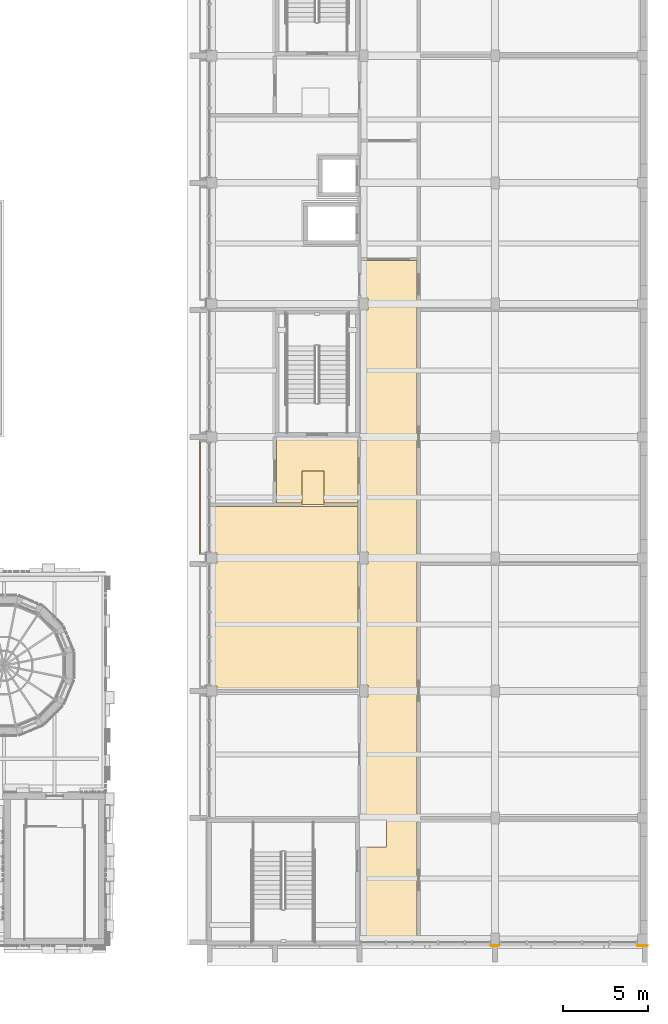
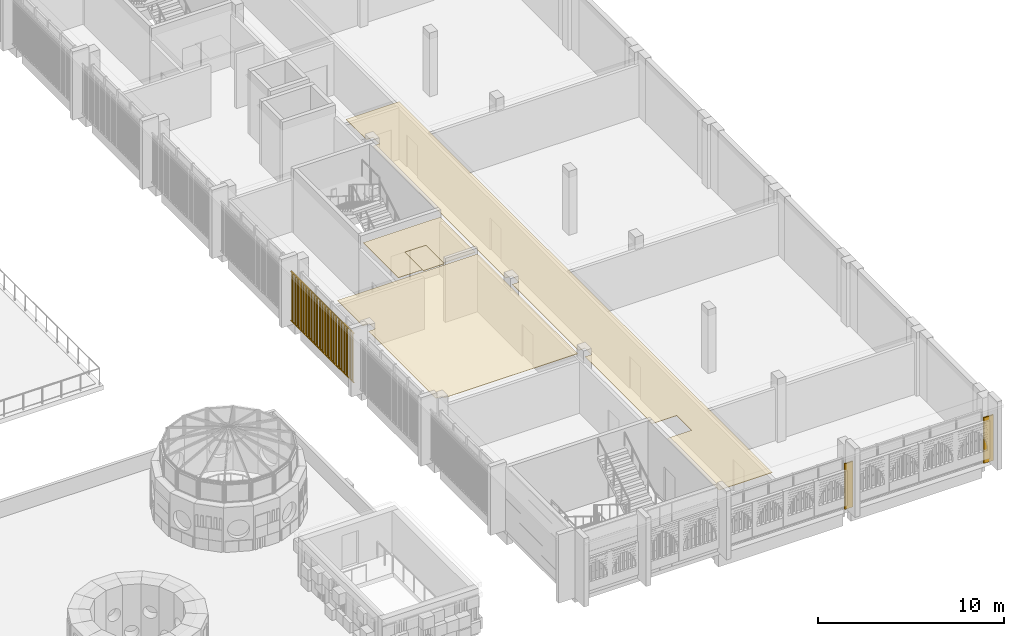
# One storey, part 90 of 98: 5 coverings, 1 shading device.
"""IFC4 building model written with IfcOpenShell, lengths in metres."""

from ifc_helpers import new_model, si_unit, direction, frame, origin, origin_2d, place, context, subcontext, project, spatial, polyline, rectangle, outline, extrude, material, layer, layer_set, type_object, element, save


model = new_model("IFC4")

# Units and contexts
model_context = context("Model", 3, precision=1e-05, world=origin(), true_north=direction((0.0, 1.0)))
body_context = subcontext(model_context, "Body", "Model", "MODEL_VIEW")
ifc_project = project(units=[si_unit("LENGTHUNIT", "METRE"), si_unit("AREAUNIT", "SQUARE_METRE"), si_unit("VOLUMEUNIT", "CUBIC_METRE"), si_unit("PLANEANGLEUNIT", "RADIAN"), si_unit("MASSUNIT", "GRAM", prefix="KILO")], contexts=[model_context])

# Site, building, storey
site_placement = place(None, origin())
site = spatial("IfcSite", under=ifc_project, at=site_placement, CompositionType="ELEMENT")
building_placement = place(site_placement, origin())
building = spatial("IfcBuilding", under=site, at=building_placement, Name="Sun Court Science Centre", CompositionType="ELEMENT")
storey_placement = place(building_placement, frame((0.0, 0.0, 15.75)))
storey = spatial("IfcBuildingStorey", under=building, at=storey_placement, Name="L03", CompositionType="ELEMENT", Elevation=15.75)

# Coverings
ifc_material_1 = material(Name="Gypsum board")
ifc_layer_1 = layer(ifc_material_1, 0.030029296875)
ifc_layer_set_1 = layer_set([ifc_layer_1], Name="Gypsum board")
covering_type_1 = type_object("IfcCoveringType", Name="Ceiling suspended 600 module", PredefinedType="CEILING", material=ifc_layer_set_1)
covering_1_placement = place(storey_placement, frame((0.0, 0.0, 3.77001953125)))
element("IfcCovering", 1, at=covering_1_placement, inside=storey, type_object=covering_type_1, Name="L03-010 ceiling", PredefinedType="CEILING", context=body_context, shape_type="SweptSolid", body=[
    extrude(outline(polyline([(87.10009765625, 6.199951171875), (87.10009765625, 11.800048828125), (88.60009765625, 11.800048828125), (88.60009765625, 13.39990234375), (87.10009765625, 13.39990234375), (87.10009765625, 20.64990234375), (87.5, 20.64990234375), (87.5, 21.35009765625), (87.10009765625, 21.35009765625), (87.10009765625, 28.5), (87.5, 28.5), (87.5, 29.199951171875), (87.10009765625, 29.199951171875), (87.10009765625, 43.5), (87.5, 43.5), (87.5, 44.199951171875), (87.10009765625, 44.199951171875), (87.10009765625, 46.39990234375), (90.39990234375, 46.39990234375), (90.39990234375, 6.199951171875), (87.10009765625, 6.199951171875)])), origin(), (0.0, 0.0, 1.0), 0.030029296875),
])
covering_2_placement = place(storey_placement, frame((0.0, 0.0, 3.77001953125)))
element("IfcCovering", 2, at=covering_2_placement, inside=storey, type_object=covering_type_1, Name="L03-013 ceiling", PredefinedType="CEILING", context=body_context, shape_type="SweptSolid", body=[
    extrude(outline(polyline([(84.89990234375, 34.0), (83.60009765625, 34.0), (83.60009765625, 32.10009765625), (82.10009765625, 32.10009765625), (82.10009765625, 35.89990234375), (86.89990234375, 35.89990234375), (86.89990234375, 32.10009765625), (84.89990234375, 32.10009765625), (84.89990234375, 34.0)])), origin(), (0.0, 0.0, 1.0), 0.030029296875),
])
covering_3_placement = place(storey_placement, frame((0.0, 0.0, 3.77001953125)))
element("IfcCovering", 3, at=covering_3_placement, inside=storey, type_object=covering_type_1, Name="L03-017 ceiling", PredefinedType="CEILING", context=body_context, shape_type="SweptSolid", body=[
    extrude(outline(polyline([(78.199951171875, 31.89990234375), (86.89990234375, 31.89990234375), (86.89990234375, 21.10009765625), (78.60009765625, 21.10009765625), (78.60009765625, 21.300048828125), (78.199951171875, 21.300048828125), (78.199951171875, 28.550048828125), (78.60009765625, 28.550048828125), (78.60009765625, 29.14990234375), (78.199951171875, 29.14990234375), (78.199951171875, 31.89990234375)])), origin(), (0.0, 0.0, 1.0), 0.030029296875),
])
covering_4_placement = place(storey_placement, frame((0.0, 0.0, 3.77001953125)))
element("IfcCovering", 4, at=covering_4_placement, inside=storey, type_object=covering_type_1, Name="L03-029 ceiling", PredefinedType="CEILING", context=body_context, shape_type="SweptSolid", body=[
    extrude(outline(polyline([(84.89990234375, 34.0), (84.89990234375, 32.0), (83.60009765625, 32.0), (83.60009765625, 34.0), (84.89990234375, 34.0)])), origin(), (0.0, 0.0, 1.0), 0.030029296875),
])

# Shading device
ifc_material_2 = material(Name="Red sandstone", Category="masonry")
ifc_layer_2 = layer(ifc_material_2, 0.06005859375)
ifc_layer_set_2 = layer_set([ifc_layer_2], Name="Red sandstone")
shading_device_type = type_object("IfcShadingDeviceType", Name="Jali screen, sandstone", PredefinedType="USERDEFINED", material=ifc_layer_set_2)
shading_device_placement = place(storey_placement, frame((0.0, 0.0, -15.75)))
element("IfcShadingDevice", 5, at=shading_device_placement, inside=storey, type_object=shading_device_type, Name="Jali screen west face L03 03", ObjectType="JALI SCREEN", PredefinedType="USERDEFINED", context=body_context, shape_type="SweptSolid", body=[
    extrude(rectangle(XDim=0.1201171875, YDim=0.06005859375, at=origin_2d()), frame((77.570068359375, 29.19677734375, 16.08984375), z_axis=(0.0, 0.0, 1.0), x_axis=(0.0, 1.0, 0.0)), (0.0, 0.0, 1.0), 3.219970703125),
    extrude(rectangle(XDim=0.1201171875, YDim=0.06005859375, at=origin_2d()), frame((77.570068359375, 29.490234375, 16.08984375), z_axis=(0.0, 0.0, 1.0), x_axis=(0.0, 1.0, 0.0)), (0.0, 0.0, 1.0), 3.219970703125),
    extrude(rectangle(XDim=0.1201171875, YDim=0.06005859375, at=origin_2d()), frame((77.570068359375, 29.78369140625, 16.08984375), z_axis=(0.0, 0.0, 1.0), x_axis=(0.0, 1.0, 0.0)), (0.0, 0.0, 1.0), 3.219970703125),
    extrude(rectangle(XDim=0.1201171875, YDim=0.06005859375, at=origin_2d()), frame((77.570068359375, 30.0771484375, 16.08984375), z_axis=(0.0, 0.0, 1.0), x_axis=(0.0, 1.0, 0.0)), (0.0, 0.0, 1.0), 3.219970703125),
    extrude(rectangle(XDim=0.1201171875, YDim=0.06005859375, at=origin_2d()), frame((77.570068359375, 30.37060546875, 16.08984375), z_axis=(0.0, 0.0, 1.0), x_axis=(0.0, 1.0, 0.0)), (0.0, 0.0, 1.0), 3.219970703125),
    extrude(rectangle(XDim=0.1201171875, YDim=0.06005859375, at=origin_2d()), frame((77.570068359375, 30.6640625, 16.08984375), z_axis=(0.0, 0.0, 1.0), x_axis=(0.0, 1.0, 0.0)), (0.0, 0.0, 1.0), 3.219970703125),
    extrude(rectangle(XDim=0.1201171875, YDim=0.06005859375, at=origin_2d()), frame((77.570068359375, 30.95751953125, 16.08984375), z_axis=(0.0, 0.0, 1.0), x_axis=(0.0, 1.0, 0.0)), (0.0, 0.0, 1.0), 3.219970703125),
    extrude(rectangle(XDim=0.1201171875, YDim=0.06005859375, at=origin_2d()), frame((77.570068359375, 31.2509765625, 16.08984375), z_axis=(0.0, 0.0, 1.0), x_axis=(0.0, 1.0, 0.0)), (0.0, 0.0, 1.0), 3.219970703125),
    extrude(rectangle(XDim=0.1201171875, YDim=0.06005859375, at=origin_2d()), frame((77.570068359375, 31.544677734375, 16.08984375), z_axis=(0.0, 0.0, 1.0), x_axis=(0.0, 1.0, 0.0)), (0.0, 0.0, 1.0), 3.219970703125),
    extrude(rectangle(XDim=0.1201171875, YDim=0.06005859375, at=origin_2d()), frame((77.570068359375, 31.838134765625, 16.08984375), z_axis=(0.0, 0.0, 1.0), x_axis=(0.0, 1.0, 0.0)), (0.0, 0.0, 1.0), 3.219970703125),
    extrude(rectangle(XDim=0.1201171875, YDim=0.06005859375, at=origin_2d()), frame((77.570068359375, 32.131591796875, 16.08984375), z_axis=(0.0, 0.0, 1.0), x_axis=(0.0, 1.0, 0.0)), (0.0, 0.0, 1.0), 3.219970703125),
    extrude(rectangle(XDim=0.1201171875, YDim=0.06005859375, at=origin_2d()), frame((77.570068359375, 32.425048828125, 16.08984375), z_axis=(0.0, 0.0, 1.0), x_axis=(0.0, 1.0, 0.0)), (0.0, 0.0, 1.0), 3.219970703125),
    extrude(rectangle(XDim=0.1201171875, YDim=0.06005859375, at=origin_2d()), frame((77.570068359375, 32.718505859375, 16.08984375), z_axis=(0.0, 0.0, 1.0), x_axis=(0.0, 1.0, 0.0)), (0.0, 0.0, 1.0), 3.219970703125),
    extrude(rectangle(XDim=0.1201171875, YDim=0.06005859375, at=origin_2d()), frame((77.570068359375, 33.011962890625, 16.08984375), z_axis=(0.0, 0.0, 1.0), x_axis=(0.0, 1.0, 0.0)), (0.0, 0.0, 1.0), 3.219970703125),
    extrude(rectangle(XDim=0.1201171875, YDim=0.06005859375, at=origin_2d()), frame((77.570068359375, 33.305419921875, 16.08984375), z_axis=(0.0, 0.0, 1.0), x_axis=(0.0, 1.0, 0.0)), (0.0, 0.0, 1.0), 3.219970703125),
    extrude(rectangle(XDim=0.1201171875, YDim=0.06005859375, at=origin_2d()), frame((77.570068359375, 33.598876953125, 16.08984375), z_axis=(0.0, 0.0, 1.0), x_axis=(0.0, 1.0, 0.0)), (0.0, 0.0, 1.0), 3.219970703125),
    extrude(rectangle(XDim=0.1201171875, YDim=0.06005859375, at=origin_2d()), frame((77.570068359375, 33.892333984375, 16.08984375), z_axis=(0.0, 0.0, 1.0), x_axis=(0.0, 1.0, 0.0)), (0.0, 0.0, 1.0), 3.219970703125),
    extrude(rectangle(XDim=0.1201171875, YDim=0.06005859375, at=origin_2d()), frame((77.570068359375, 34.185791015625, 16.08984375), z_axis=(0.0, 0.0, 1.0), x_axis=(0.0, 1.0, 0.0)), (0.0, 0.0, 1.0), 3.219970703125),
    extrude(rectangle(XDim=0.1201171875, YDim=0.06005859375, at=origin_2d()), frame((77.570068359375, 34.479248046875, 16.08984375), z_axis=(0.0, 0.0, 1.0), x_axis=(0.0, 1.0, 0.0)), (0.0, 0.0, 1.0), 3.219970703125),
    extrude(rectangle(XDim=0.1201171875, YDim=0.06005859375, at=origin_2d()), frame((77.570068359375, 34.772705078125, 16.08984375), z_axis=(0.0, 0.0, 1.0), x_axis=(0.0, 1.0, 0.0)), (0.0, 0.0, 1.0), 3.219970703125),
    extrude(rectangle(XDim=0.1201171875, YDim=0.06005859375, at=origin_2d()), frame((77.570068359375, 35.06640625, 16.08984375), z_axis=(0.0, 0.0, 1.0), x_axis=(0.0, 1.0, 0.0)), (0.0, 0.0, 1.0), 3.219970703125),
    extrude(rectangle(XDim=0.1201171875, YDim=0.06005859375, at=origin_2d()), frame((77.570068359375, 35.35986328125, 16.08984375), z_axis=(0.0, 0.0, 1.0), x_axis=(0.0, 1.0, 0.0)), (0.0, 0.0, 1.0), 3.219970703125),
    extrude(rectangle(XDim=0.1201171875, YDim=0.06005859375, at=origin_2d()), frame((77.570068359375, 35.6533203125, 16.08984375), z_axis=(0.0, 0.0, 1.0), x_axis=(0.0, 1.0, 0.0)), (0.0, 0.0, 1.0), 3.219970703125),
    extrude(rectangle(XDim=6.75, YDim=0.06005859375, at=origin_2d()), frame((77.570068359375, 32.425048828125, 16.050048828125), z_axis=(0.0, 0.0, 1.0), x_axis=(0.0, 1.0, 0.0)), (0.0, 0.0, 1.0), 0.06005859375),
    extrude(rectangle(XDim=6.75, YDim=0.06005859375, at=origin_2d()), frame((77.570068359375, 32.425048828125, 19.2900390625), z_axis=(0.0, 0.0, 1.0), x_axis=(0.0, 1.0, 0.0)), (0.0, 0.0, 1.0), 0.06005859375),
])

# Covering
ifc_material_3 = material(Name="Red sandstone", Category="masonry")
ifc_layer_3 = layer(ifc_material_3, 0.080078125)
ifc_layer_set_3 = layer_set([ifc_layer_3], Name="Red sandstone")
covering_type_2 = type_object("IfcCoveringType", Name="Red sandstone pier cladding", PredefinedType="CLADDING", material=ifc_layer_set_3)
covering_5_placement = place(storey_placement, frame((0.0, 0.0, -15.75)))
element("IfcCovering", 6, at=covering_5_placement, inside=storey, type_object=covering_type_2, Name="Red sandstone pier cladding south face L03", PredefinedType="CLADDING", context=body_context, shape_type="SweptSolid", body=[
    extrude(rectangle(XDim=0.60009765625, YDim=0.080078125, at=origin_2d()), frame((103.699951171875, 5.9599609375, 15.75), z_axis=(0.0, 0.0, 1.0), x_axis=(-1.0, 0.0, 0.0)), (0.0, 0.0, 1.0), 3.0),
    extrude(rectangle(XDim=0.5, YDim=0.080078125, at=origin_2d()), frame((95.0, 5.9599609375, 15.75), z_axis=(0.0, 0.0, 1.0), x_axis=(-1.0, 0.0, 0.0)), (0.0, 0.0, 1.0), 3.0),
])

save(model, "model.ifc")
